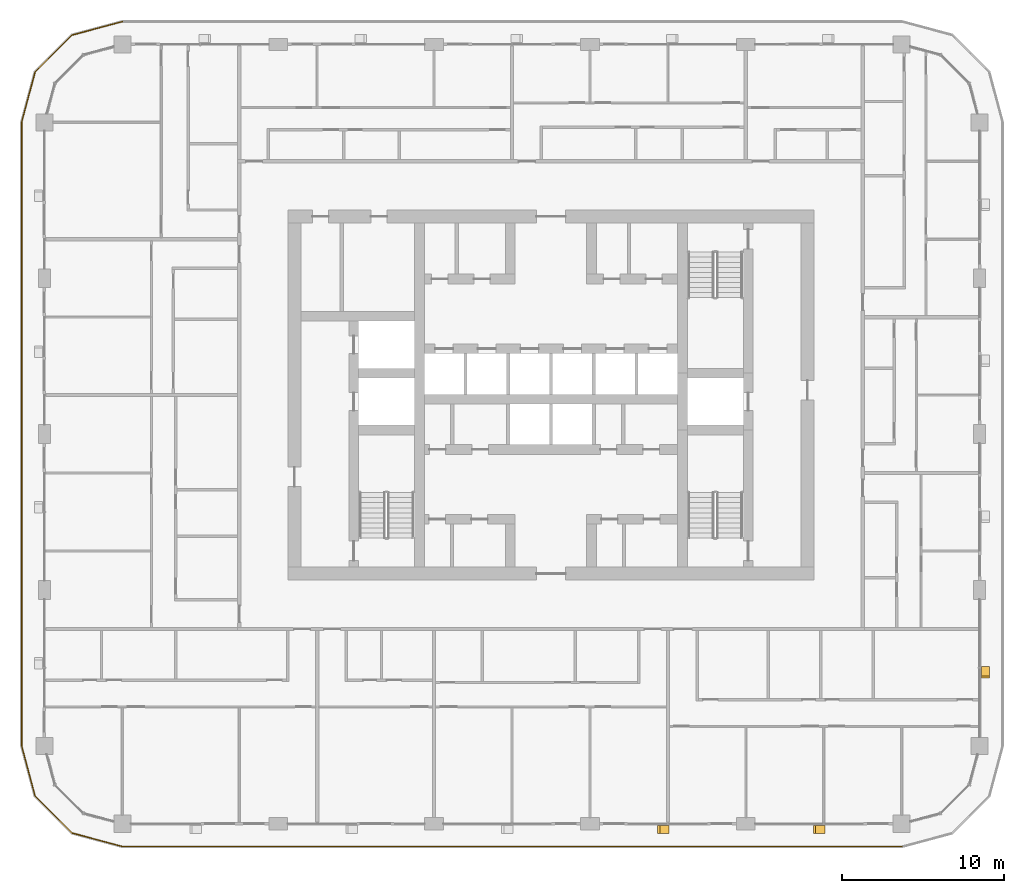
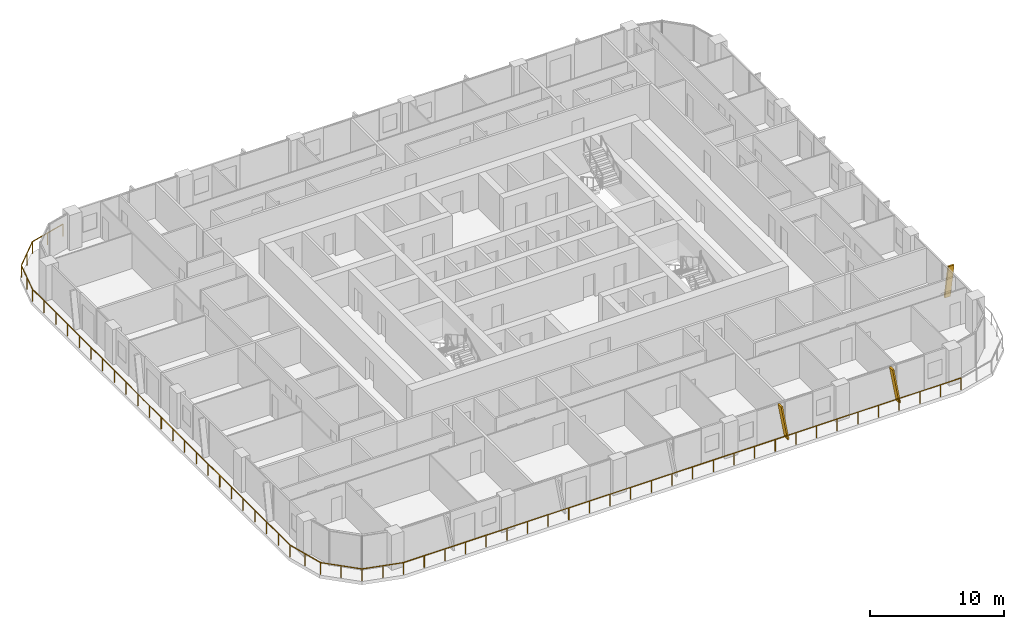
# One storey, part 19 of 22: 3 shading devices, 1 railing.
"""IFC4 building model written with IfcOpenShell, lengths in metres."""

from ifc_helpers import new_model, si_unit, direction, frame, origin, origin_2d, place, context, subcontext, project, spatial, polyline, circle, outline, extrude, material, type_object, element, save


model = new_model("IFC4")

# Units and contexts
model_context = context("Model", 3, precision=1e-05, world=origin(), true_north=direction((0.0, 1.0)))
body_context = subcontext(model_context, "Body", "Model", "MODEL_VIEW")
ifc_project = project(units=[si_unit("LENGTHUNIT", "METRE"), si_unit("AREAUNIT", "SQUARE_METRE"), si_unit("VOLUMEUNIT", "CUBIC_METRE"), si_unit("PLANEANGLEUNIT", "RADIAN"), si_unit("MASSUNIT", "GRAM", prefix="KILO")], contexts=[model_context])

# Site, building, storey
site_placement = place(None, origin())
site = spatial("IfcSite", under=ifc_project, at=site_placement, CompositionType="ELEMENT")
building_placement = place(site_placement, origin())
building = spatial("IfcBuilding", under=site, at=building_placement, Name="Madar Terraces", CompositionType="ELEMENT")
storey_placement = place(building_placement, frame((0.0, 0.0, 166.5)))
storey = spatial("IfcBuildingStorey", under=building, at=storey_placement, Name="L43", CompositionType="ELEMENT", Elevation=166.5)

# Railing
ifc_material_1 = material(Name="Glass, safety glazing, with stainless steel posts", Category="steel")
railing_type = type_object("IfcRailingType", Name="Balcony glass guard 1100", PredefinedType="GUARDRAIL", material=ifc_material_1)
railing_placement = place(storey_placement, frame((4.800048828125, 49.39990234375, 0.0)))
element("IfcRailing", 1, at=railing_placement, inside=storey, type_object=railing_type, Name="Balcony guard", PredefinedType="GUARDRAIL", context=body_context, shape_type="SweptSolid", body=[
    extrude(circle(Radius=0.02392578125, at=origin_2d()), frame((0.0, 0.0, 1.076171875), z_axis=(-0.9659337912, -0.258789317819, 0.0), x_axis=(0.258789317819, -0.9659337912, 0.0)), (0.0, 0.0, 1.0), 3.20947265625),
    extrude(circle(Radius=0.02392578125, at=origin_2d()), frame((-3.10009765625, -0.83056640625, 1.076171875), z_axis=(-0.707106781187, -0.707106781187, 0.0), x_axis=(0.707106781187, -0.707106781187, 0.0)), (0.0, 0.0, 1.0), 3.209228515625),
    extrude(circle(Radius=0.02392578125, at=origin_2d()), frame((-5.369384765625, -3.099853515625, 1.076171875), z_axis=(-0.258789317819, -0.9659337912, 0.0), x_axis=(0.9659337912, -0.258789317819, 0.0)), (0.0, 0.0, 1.0), 3.20947265625),
    extrude(circle(Radius=0.02392578125, at=origin_2d()), frame((-6.199951171875, -6.199951171875, 1.076171875), z_axis=(0.0, -1.0, 0.0), x_axis=(1.0, 0.0, 0.0)), (0.0, 0.0, 1.0), 38.39990234375),
    extrude(circle(Radius=0.02392578125, at=origin_2d()), frame((-6.199951171875, -44.599853515625, 1.076171875), z_axis=(0.258789317819, -0.9659337912, 0.0), x_axis=(0.9659337912, 0.258789317819, 0.0)), (0.0, 0.0, 1.0), 3.20947265625),
    extrude(circle(Radius=0.02392578125, at=origin_2d()), frame((-5.369384765625, -47.699951171875, 1.076171875), z_axis=(0.707106781187, -0.707106781187, 0.0), x_axis=(0.707106781187, 0.707106781187, 0.0)), (0.0, 0.0, 1.0), 3.209228515625),
    extrude(circle(Radius=0.02392578125, at=origin_2d()), frame((-3.10009765625, -49.96923828125, 1.076171875), z_axis=(0.9659337912, -0.258789317819, 0.0), x_axis=(0.258789317819, 0.9659337912, 0.0)), (0.0, 0.0, 1.0), 3.20947265625),
    extrude(circle(Radius=0.02392578125, at=origin_2d()), frame((0.0, -50.7998046875, 1.076171875), z_axis=(1.0, 0.0, 0.0), x_axis=(0.0, 1.0, 0.0)), (0.0, 0.0, 1.0), 48.0),
    extrude(circle(Radius=0.02099609375, at=origin_2d()), origin(), (0.0, 0.0, 1.0), 1.052001953125),
    extrude(circle(Radius=0.02099609375, at=origin_2d()), frame((-1.550048828125, -0.415283203125, 0.0)), (0.0, 0.0, 1.0), 1.052001953125),
    extrude(circle(Radius=0.02099609375, at=origin_2d()), frame((-3.10009765625, -0.83056640625, 0.0)), (0.0, 0.0, 1.0), 1.052001953125),
    extrude(circle(Radius=0.02099609375, at=origin_2d()), frame((-4.23486328125, -1.96533203125, 0.0)), (0.0, 0.0, 1.0), 1.052001953125),
    extrude(circle(Radius=0.02099609375, at=origin_2d()), frame((-5.369384765625, -3.099853515625, 0.0)), (0.0, 0.0, 1.0), 1.052001953125),
    extrude(circle(Radius=0.02099609375, at=origin_2d()), frame((-5.78466796875, -4.64990234375, 0.0)), (0.0, 0.0, 1.0), 1.052001953125),
    extrude(circle(Radius=0.02099609375, at=origin_2d()), frame((-6.199951171875, -6.199951171875, 0.0)), (0.0, 0.0, 1.0), 1.052001953125),
    extrude(circle(Radius=0.02099609375, at=origin_2d()), frame((-6.199951171875, -7.9453125, 0.0)), (0.0, 0.0, 1.0), 1.052001953125),
    extrude(circle(Radius=0.02099609375, at=origin_2d()), frame((-6.199951171875, -9.69091796875, 0.0)), (0.0, 0.0, 1.0), 1.052001953125),
    extrude(circle(Radius=0.02099609375, at=origin_2d()), frame((-6.199951171875, -11.436279296875, 0.0)), (0.0, 0.0, 1.0), 1.052001953125),
    extrude(circle(Radius=0.02099609375, at=origin_2d()), frame((-6.199951171875, -13.181640625, 0.0)), (0.0, 0.0, 1.0), 1.052001953125),
    extrude(circle(Radius=0.02099609375, at=origin_2d()), frame((-6.199951171875, -14.92724609375, 0.0)), (0.0, 0.0, 1.0), 1.052001953125),
    extrude(circle(Radius=0.02099609375, at=origin_2d()), frame((-6.199951171875, -16.672607421875, 0.0)), (0.0, 0.0, 1.0), 1.052001953125),
    extrude(circle(Radius=0.02099609375, at=origin_2d()), frame((-6.199951171875, -18.418212890625, 0.0)), (0.0, 0.0, 1.0), 1.052001953125),
    extrude(circle(Radius=0.02099609375, at=origin_2d()), frame((-6.199951171875, -20.16357421875, 0.0)), (0.0, 0.0, 1.0), 1.052001953125),
    extrude(circle(Radius=0.02099609375, at=origin_2d()), frame((-6.199951171875, -21.908935546875, 0.0)), (0.0, 0.0, 1.0), 1.052001953125),
    extrude(circle(Radius=0.02099609375, at=origin_2d()), frame((-6.199951171875, -23.654541015625, 0.0)), (0.0, 0.0, 1.0), 1.052001953125),
    extrude(circle(Radius=0.02099609375, at=origin_2d()), frame((-6.199951171875, -25.39990234375, 0.0)), (0.0, 0.0, 1.0), 1.052001953125),
    extrude(circle(Radius=0.02099609375, at=origin_2d()), frame((-6.199951171875, -27.145263671875, 0.0)), (0.0, 0.0, 1.0), 1.052001953125),
    extrude(circle(Radius=0.02099609375, at=origin_2d()), frame((-6.199951171875, -28.890869140625, 0.0)), (0.0, 0.0, 1.0), 1.052001953125),
    extrude(circle(Radius=0.02099609375, at=origin_2d()), frame((-6.199951171875, -30.63623046875, 0.0)), (0.0, 0.0, 1.0), 1.052001953125),
    extrude(circle(Radius=0.02099609375, at=origin_2d()), frame((-6.199951171875, -32.381591796875, 0.0)), (0.0, 0.0, 1.0), 1.052001953125),
    extrude(circle(Radius=0.02099609375, at=origin_2d()), frame((-6.199951171875, -34.127197265625, 0.0)), (0.0, 0.0, 1.0), 1.052001953125),
    extrude(circle(Radius=0.02099609375, at=origin_2d()), frame((-6.199951171875, -35.87255859375, 0.0)), (0.0, 0.0, 1.0), 1.052001953125),
    extrude(circle(Radius=0.02099609375, at=origin_2d()), frame((-6.199951171875, -37.6181640625, 0.0)), (0.0, 0.0, 1.0), 1.052001953125),
    extrude(circle(Radius=0.02099609375, at=origin_2d()), frame((-6.199951171875, -39.363525390625, 0.0)), (0.0, 0.0, 1.0), 1.052001953125),
    extrude(circle(Radius=0.02099609375, at=origin_2d()), frame((-6.199951171875, -41.10888671875, 0.0)), (0.0, 0.0, 1.0), 1.052001953125),
    extrude(circle(Radius=0.02099609375, at=origin_2d()), frame((-6.199951171875, -42.8544921875, 0.0)), (0.0, 0.0, 1.0), 1.052001953125),
    extrude(circle(Radius=0.02099609375, at=origin_2d()), frame((-6.199951171875, -44.599853515625, 0.0)), (0.0, 0.0, 1.0), 1.052001953125),
    extrude(circle(Radius=0.02099609375, at=origin_2d()), frame((-5.78466796875, -46.14990234375, 0.0)), (0.0, 0.0, 1.0), 1.052001953125),
    extrude(circle(Radius=0.02099609375, at=origin_2d()), frame((-5.369384765625, -47.699951171875, 0.0)), (0.0, 0.0, 1.0), 1.052001953125),
    extrude(circle(Radius=0.02099609375, at=origin_2d()), frame((-4.23486328125, -48.83447265625, 0.0)), (0.0, 0.0, 1.0), 1.052001953125),
    extrude(circle(Radius=0.02099609375, at=origin_2d()), frame((-3.10009765625, -49.96923828125, 0.0)), (0.0, 0.0, 1.0), 1.052001953125),
    extrude(circle(Radius=0.02099609375, at=origin_2d()), frame((-1.550048828125, -50.384521484375, 0.0)), (0.0, 0.0, 1.0), 1.052001953125),
    extrude(circle(Radius=0.02099609375, at=origin_2d()), frame((0.0, -50.7998046875, 0.0)), (0.0, 0.0, 1.0), 1.052001953125),
    extrude(circle(Radius=0.02099609375, at=origin_2d()), frame((1.77783203125, -50.7998046875, 0.0)), (0.0, 0.0, 1.0), 1.052001953125),
    extrude(circle(Radius=0.02099609375, at=origin_2d()), frame((3.5556640625, -50.7998046875, 0.0)), (0.0, 0.0, 1.0), 1.052001953125),
    extrude(circle(Radius=0.02099609375, at=origin_2d()), frame((5.333251953125, -50.7998046875, 0.0)), (0.0, 0.0, 1.0), 1.052001953125),
    extrude(circle(Radius=0.02099609375, at=origin_2d()), frame((7.111083984375, -50.7998046875, 0.0)), (0.0, 0.0, 1.0), 1.052001953125),
    extrude(circle(Radius=0.02099609375, at=origin_2d()), frame((8.888916015625, -50.7998046875, 0.0)), (0.0, 0.0, 1.0), 1.052001953125),
    extrude(circle(Radius=0.02099609375, at=origin_2d()), frame((10.666748046875, -50.7998046875, 0.0)), (0.0, 0.0, 1.0), 1.052001953125),
    extrude(circle(Radius=0.02099609375, at=origin_2d()), frame((12.4443359375, -50.7998046875, 0.0)), (0.0, 0.0, 1.0), 1.052001953125),
    extrude(circle(Radius=0.02099609375, at=origin_2d()), frame((14.22216796875, -50.7998046875, 0.0)), (0.0, 0.0, 1.0), 1.052001953125),
    extrude(circle(Radius=0.02099609375, at=origin_2d()), frame((16.0, -50.7998046875, 0.0)), (0.0, 0.0, 1.0), 1.052001953125),
    extrude(circle(Radius=0.02099609375, at=origin_2d()), frame((17.77783203125, -50.7998046875, 0.0)), (0.0, 0.0, 1.0), 1.052001953125),
    extrude(circle(Radius=0.02099609375, at=origin_2d()), frame((19.5556640625, -50.7998046875, 0.0)), (0.0, 0.0, 1.0), 1.052001953125),
    extrude(circle(Radius=0.02099609375, at=origin_2d()), frame((21.333251953125, -50.7998046875, 0.0)), (0.0, 0.0, 1.0), 1.052001953125),
    extrude(circle(Radius=0.02099609375, at=origin_2d()), frame((23.111083984375, -50.7998046875, 0.0)), (0.0, 0.0, 1.0), 1.052001953125),
    extrude(circle(Radius=0.02099609375, at=origin_2d()), frame((24.888916015625, -50.7998046875, 0.0)), (0.0, 0.0, 1.0), 1.052001953125),
    extrude(circle(Radius=0.02099609375, at=origin_2d()), frame((26.666748046875, -50.7998046875, 0.0)), (0.0, 0.0, 1.0), 1.052001953125),
    extrude(circle(Radius=0.02099609375, at=origin_2d()), frame((28.4443359375, -50.7998046875, 0.0)), (0.0, 0.0, 1.0), 1.052001953125),
    extrude(circle(Radius=0.02099609375, at=origin_2d()), frame((30.22216796875, -50.7998046875, 0.0)), (0.0, 0.0, 1.0), 1.052001953125),
    extrude(circle(Radius=0.02099609375, at=origin_2d()), frame((32.0, -50.7998046875, 0.0)), (0.0, 0.0, 1.0), 1.052001953125),
    extrude(circle(Radius=0.02099609375, at=origin_2d()), frame((33.77783203125, -50.7998046875, 0.0)), (0.0, 0.0, 1.0), 1.052001953125),
    extrude(circle(Radius=0.02099609375, at=origin_2d()), frame((35.5556640625, -50.7998046875, 0.0)), (0.0, 0.0, 1.0), 1.052001953125),
    extrude(circle(Radius=0.02099609375, at=origin_2d()), frame((37.333251953125, -50.7998046875, 0.0)), (0.0, 0.0, 1.0), 1.052001953125),
    extrude(circle(Radius=0.02099609375, at=origin_2d()), frame((39.111083984375, -50.7998046875, 0.0)), (0.0, 0.0, 1.0), 1.052001953125),
    extrude(circle(Radius=0.02099609375, at=origin_2d()), frame((40.888916015625, -50.7998046875, 0.0)), (0.0, 0.0, 1.0), 1.052001953125),
    extrude(circle(Radius=0.02099609375, at=origin_2d()), frame((42.666748046875, -50.7998046875, 0.0)), (0.0, 0.0, 1.0), 1.052001953125),
    extrude(circle(Radius=0.02099609375, at=origin_2d()), frame((44.4443359375, -50.7998046875, 0.0)), (0.0, 0.0, 1.0), 1.052001953125),
    extrude(circle(Radius=0.02099609375, at=origin_2d()), frame((46.22216796875, -50.7998046875, 0.0)), (0.0, 0.0, 1.0), 1.052001953125),
    extrude(circle(Radius=0.02099609375, at=origin_2d()), frame((48.0, -50.7998046875, 0.0)), (0.0, 0.0, 1.0), 1.052001953125),
])

# Shading devices
ifc_material_2 = material(Name="Aluminium, black anodised", Category="aluminium")
shading_device_type = type_object("IfcShadingDeviceType", Name="Facade fin blade 140 x 500", PredefinedType="USERDEFINED", material=ifc_material_2)
shading_device_1_placement = place(storey_placement, frame((38.330078125, -0.35009765625, 0.0), z_axis=(0.0, 0.0, 1.0), x_axis=(1.0, 0.0, 0.0)))
element("IfcShadingDevice", 2, at=shading_device_1_placement, inside=storey, type_object=shading_device_type, Name="FIN L43 S4", ObjectType="FIN", PredefinedType="USERDEFINED", context=body_context, shape_type="SweptSolid", body=[
    extrude(outline(polyline([(0.0, 0.0), (0.139892578125, 0.0), (-0.42431640625, 3.199951171875), (-0.564208984375, 3.199951171875), (0.0, 0.0)])), frame((0.0, 0.25, 0.0), z_axis=(0.0, -1.0, 0.0), x_axis=(1.0, 0.0, 0.0)), (0.0, 0.0, 1.0), 0.5),
])
shading_device_2_placement = place(storey_placement, frame((47.929931640625, -0.35009765625, 0.0), z_axis=(0.0, 0.0, 1.0), x_axis=(1.0, 0.0, 0.0)))
element("IfcShadingDevice", 3, at=shading_device_2_placement, inside=storey, type_object=shading_device_type, Name="FIN L43 S5", ObjectType="FIN", PredefinedType="USERDEFINED", context=body_context, shape_type="SweptSolid", body=[
    extrude(outline(polyline([(0.0, 0.0), (0.14013671875, 0.0), (-0.42431640625, 3.199951171875), (-0.564208984375, 3.199951171875), (0.0, 0.0)])), frame((0.0, 0.25, 0.0), z_axis=(0.0, -1.0, 0.0), x_axis=(1.0, 0.0, 0.0)), (0.0, 0.0, 1.0), 0.5),
])
shading_device_3_placement = place(storey_placement, frame((57.949951171875, 9.530029296875, 0.0), z_axis=(0.0, 0.0, 1.0), x_axis=(0.0, 1.0, 0.0)))
element("IfcShadingDevice", 4, at=shading_device_3_placement, inside=storey, type_object=shading_device_type, Name="FIN L43 E1", ObjectType="FIN", PredefinedType="USERDEFINED", context=body_context, shape_type="SweptSolid", body=[
    extrude(outline(polyline([(0.0, 0.0), (0.139892578125, 0.0), (-0.42431640625, 3.199951171875), (-0.564208984375, 3.199951171875), (0.0, 0.0)])), frame((0.0, 0.25, 0.0), z_axis=(0.0, -1.0, 0.0), x_axis=(1.0, 0.0, 0.0)), (0.0, 0.0, 1.0), 0.5),
])

save(model, "model.ifc")
